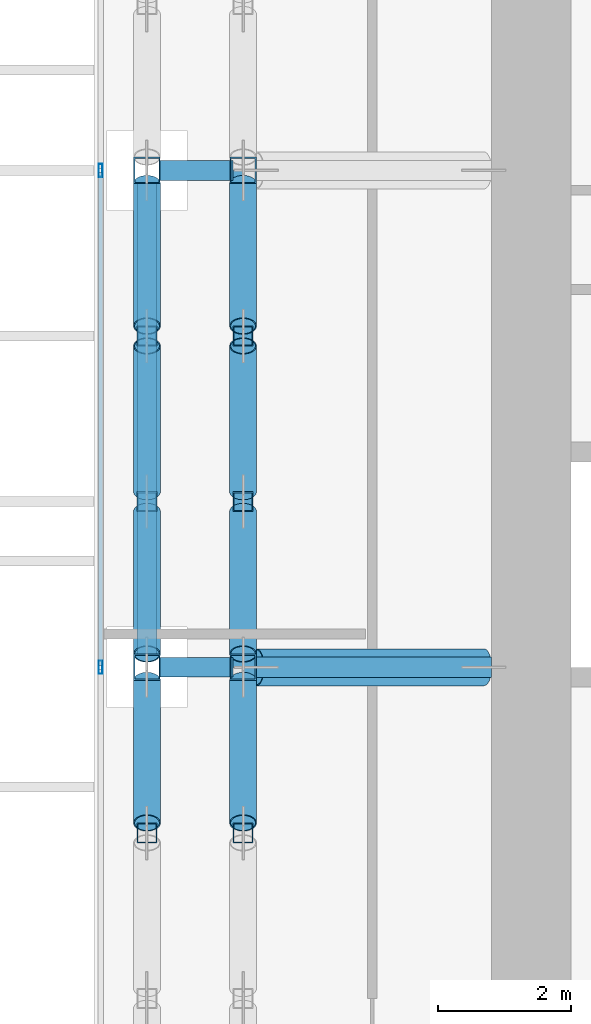
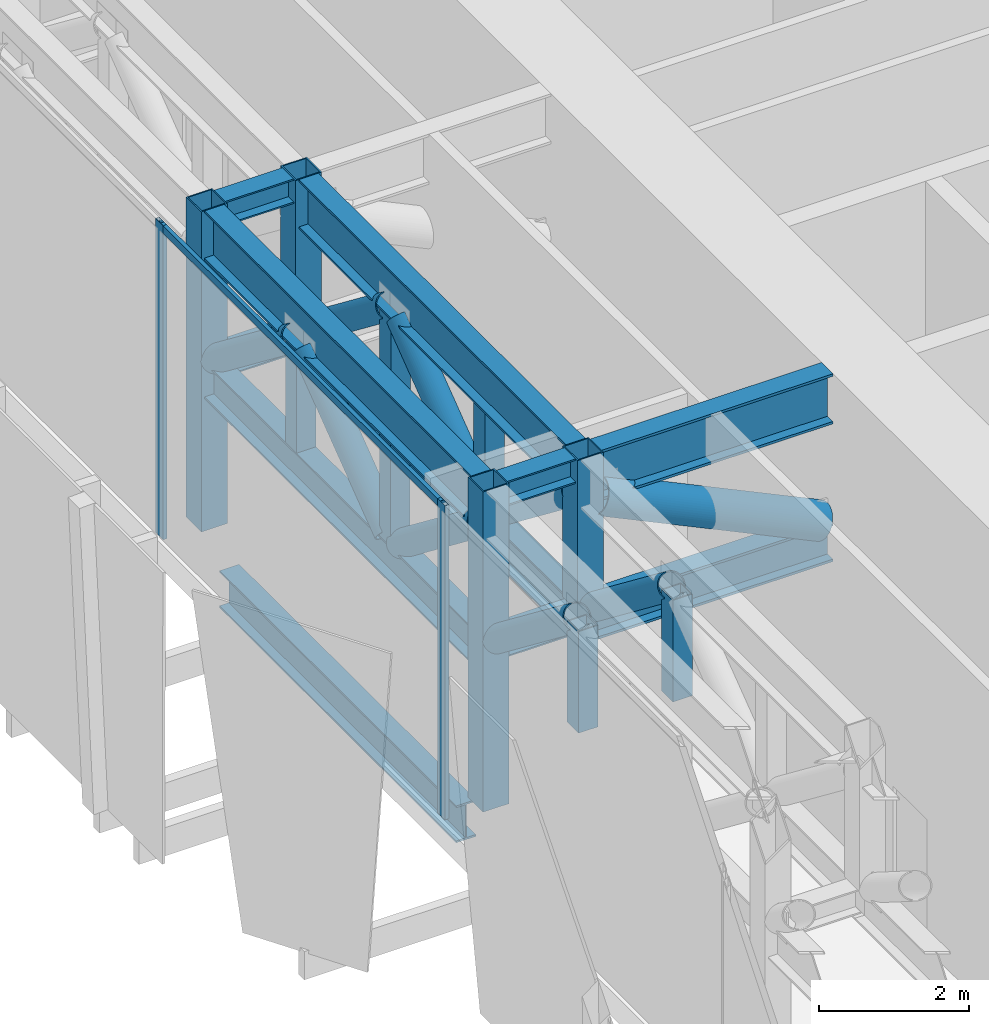
# One storey, part 6 of 39: 28 members, 5 beams, 1 element without a shape of its own.
"""IFC4 building model written with IfcOpenShell, lengths in metres."""

from ifc_helpers import new_model, si_unit, direction, frame, origin, origin_2d, place, context, subcontext, project, spatial, hollow_rectangle, hollow_circle, i_section, extrude, source, transform, mapped, material, material_profile, profile_set, type_object, element, aggregate, save


model = new_model("IFC4")

# Units and contexts
model_context = context("Model", 3, precision=1e-05, world=origin(), true_north=direction((0.0, 1.0)))
body_context = subcontext(model_context, "Body", "Model", "MODEL_VIEW")
ifc_project = project(units=[si_unit("LENGTHUNIT", "METRE"), si_unit("AREAUNIT", "SQUARE_METRE"), si_unit("VOLUMEUNIT", "CUBIC_METRE"), si_unit("PLANEANGLEUNIT", "RADIAN"), si_unit("MASSUNIT", "GRAM", prefix="KILO")], contexts=[model_context])

# Site, building, storey
site_placement = place(None, origin())
site = spatial("IfcSite", under=ifc_project, at=site_placement, CompositionType="ELEMENT")
building_placement = place(site_placement, origin())
building = spatial("IfcBuilding", under=site, at=building_placement, Name="Khomas Fold Tower", CompositionType="ELEMENT")
storey_placement = place(building_placement, frame((0.0, 0.0, 96.0)))
storey = spatial("IfcBuildingStorey", under=building, at=storey_placement, Name="L20", CompositionType="ELEMENT", Elevation=96.0)

# Beam
ifc_material_1 = material(Name="Steel S355", Category="steel")
ifc_material_profile_1 = material_profile(ifc_material_1, i_section(OverallWidth=0.300048828125, OverallDepth=0.60009765625, WebThickness=0.015380859375, FlangeThickness=0.030029296875, at=origin_2d()), Name="HE 600 B")
ifc_profile_set_1 = profile_set([ifc_material_profile_1], Name="Steel S355")
beam_type_1 = type_object("IfcBeamType", Name="HE 600 B spandrel SB1", PredefinedType="SPANDREL", material=ifc_profile_set_1)
shared_shape_1 = source(origin(), body_context, "Body", "SweptSolid", [
    extrude(i_section(OverallWidth=0.300048828125, OverallDepth=0.60009765625, WebThickness=0.015380859375, FlangeThickness=0.030029296875, at=origin_2d()), origin(), (0.0, 0.0, 1.0), 6.2998046875),
])
beam_placement = place(storey_placement, frame((0.800048828125, 20.10009765625, -0.699951171875), z_axis=(0.0, 1.0, 0.0), x_axis=(-1.0, 0.0, 0.0)))
element("IfcBeam", 1, at=beam_placement, inside=storey, type_object=beam_type_1, Name="SB1", PredefinedType="SPANDREL", context=body_context, shape_type="MappedRepresentation", body=[
    mapped(shared_shape_1, transform((0.0, 0.0, 0.0))),
])

# Members
ifc_material_2 = material(Name="Steel S355", Category="steel")
ifc_material_profile_2 = material_profile(ifc_material_2, i_section(OverallWidth=0.300048828125, OverallDepth=0.60009765625, WebThickness=0.015380859375, FlangeThickness=0.030029296875, at=origin_2d()), Name="HE 600 B")
ifc_profile_set_2 = profile_set([ifc_material_profile_2], Name="Steel S355")
member_type_1 = type_object("IfcMemberType", Name="BELT TRUSS 1 BOTTOM CHORD HE 600 B", PredefinedType="CHORD", material=ifc_profile_set_2)
shared_shape_2 = source(origin(), body_context, "Body", "SweptSolid", [
    extrude(i_section(OverallWidth=0.300048828125, OverallDepth=0.60009765625, WebThickness=0.015380859375, FlangeThickness=0.030029296875, at=origin_2d()), origin(), (0.0, 0.0, 1.0), 7.5),
])
member_1_placement = place(storey_placement, frame((2.25, 27.0, 2.449951171875), z_axis=(0.0, -1.0, 0.0), x_axis=(1.0, 0.0, 0.0)))
element("IfcMember", 2, at=member_1_placement, inside=storey, type_object=member_type_1, Name="BT1-CB", PredefinedType="CHORD", context=body_context, shape_type="MappedRepresentation", body=[
    mapped(shared_shape_2, transform((0.0, 0.0, 0.0))),
])
ifc_material_3 = material(Name="Steel S355", Category="steel")
ifc_material_profile_3 = material_profile(ifc_material_3, hollow_rectangle(XDim=0.300048828125, YDim=0.300048828125, WallThickness=0.01611328125, at=origin_2d()), Name="SHS 300x300x16")
ifc_profile_set_3 = profile_set([ifc_material_profile_3], Name="Steel S355")
member_type_2 = type_object("IfcMemberType", Name="BELT TRUSS 1 MID POST SHS 300x300x16", PredefinedType="POST", material=ifc_profile_set_3)
shared_shape_3 = source(origin(), body_context, "Body", "SweptSolid", [
    extrude(hollow_rectangle(XDim=0.300048828125, YDim=0.300048828125, WallThickness=0.01611328125, at=origin_2d()), origin(), (0.0, 0.0, 1.0), 1.64990234375),
])
for number, where, z_axis, x_axis, name in (
    (3, (0.800048828125, 24.5, 2.75), (0.0, 0.0, 1.0), (1.0, 0.0, 0.0), "BT1-M"),
    (4, (0.800048828125, 22.0, 2.75), (0.0, 0.0, 1.0), (1.0, 0.0, 0.0), "BT1-M"),
    (5, (0.800048828125, 17.0, 2.75), (0.0, 0.0, 1.0), (1.0, 0.0, 0.0), "BT1-M"),
    (6, (2.25, 24.5, 2.75), (0.0, 0.0, 1.0), (1.0, 0.0, 0.0), "BT1-M"),
    (7, (2.25, 22.0, 2.75), (0.0, 0.0, 1.0), (1.0, 0.0, 0.0), "BT1-M"),
    (8, (2.25, 17.0, 2.75), (0.0, 0.0, 1.0), (1.0, 0.0, 0.0), "BT1-M"),
):
    element("IfcMember", number, at=place(storey_placement, frame(where, z_axis=z_axis, x_axis=x_axis)), inside=storey, type_object=member_type_2, Name=name, PredefinedType="POST", context=body_context, shape_type="MappedRepresentation", body=[
        mapped(shared_shape_3, transform((0.0, 0.0, 0.0))),
    ])
ifc_material_4 = material(Name="Steel S460M", Category="steel")
ifc_material_profile_4 = material_profile(ifc_material_4, i_section(OverallWidth=0.300048828125, OverallDepth=0.800048828125, WebThickness=0.017578125, FlangeThickness=0.032958984375, at=origin_2d()), Name="HE 800 B")
ifc_profile_set_4 = profile_set([ifc_material_profile_4], Name="Steel S460M")
member_type_3 = type_object("IfcMemberType", Name="BELT TRUSS 1 TOP CHORD HE 800 B", PredefinedType="CHORD", material=ifc_profile_set_4)
shared_shape_4 = source(origin(), body_context, "Body", "SweptSolid", [
    extrude(i_section(OverallWidth=0.300048828125, OverallDepth=0.800048828125, WebThickness=0.017578125, FlangeThickness=0.032958984375, at=origin_2d()), origin(), (0.0, 0.0, 1.0), 7.10009765625),
])
for number, where, z_axis, x_axis, name in (
    (9, (0.800048828125, 26.800048828125, 4.800048828125), (0.0, -1.0, 0.0), (1.0, 0.0, 0.0), "BT1-CT"),
    (10, (2.25, 26.800048828125, 4.800048828125), (0.0, -1.0, 0.0), (1.0, 0.0, 0.0), "BT1-CT"),
):
    element("IfcMember", number, at=place(storey_placement, frame(where, z_axis=z_axis, x_axis=x_axis)), inside=storey, type_object=member_type_3, Name=name, PredefinedType="CHORD", context=body_context, shape_type="MappedRepresentation", body=[
        mapped(shared_shape_4, transform((0.0, 0.0, 0.0))),
    ])
shared_shape_5 = source(origin(), body_context, "Body", "SweptSolid", [
    extrude(i_section(OverallWidth=0.300048828125, OverallDepth=0.60009765625, WebThickness=0.015380859375, FlangeThickness=0.030029296875, at=origin_2d()), origin(), (0.0, 0.0, 1.0), 7.10009765625),
])
member_2_placement = place(storey_placement, frame((0.800048828125, 26.800048828125, 2.449951171875), z_axis=(0.0, -1.0, 0.0), x_axis=(1.0, 0.0, 0.0)))
element("IfcMember", 11, at=member_2_placement, inside=storey, type_object=member_type_1, Name="BT1-CB", PredefinedType="CHORD", context=body_context, shape_type="MappedRepresentation", body=[
    mapped(shared_shape_5, transform((0.0, 0.0, 0.0))),
])
ifc_material_5 = material(Name="Steel S355", Category="steel")
ifc_material_profile_5 = material_profile(ifc_material_5, hollow_circle(Radius=0.203125, WallThickness=0.01611328125, at=origin_2d()), Name="CHS 406.4x16")
ifc_profile_set_5 = profile_set([ifc_material_profile_5], Name="Steel S355")
member_type_4 = type_object("IfcMemberType", Name="BELT TRUSS 1 DIAGONAL CHS 406.4x16", PredefinedType="BRACE", material=ifc_profile_set_5)
shared_shape_6 = source(origin(), body_context, "Body", "SweptSolid", [
    extrude(hollow_circle(Radius=0.203125, WallThickness=0.01611328125, at=origin_2d()), origin(), (0.0, 0.0, 1.0), 2.71630859375),
])
for number, where, z_axis, x_axis, name in (
    (12, (0.800048828125, 26.800048828125, 2.7451171875), (0.0, -0.791563625226, 0.611086759159), (1.0, 0.0, 0.0), "BT1-D"),
    (13, (0.800048828125, 21.85009765625, 2.7451171875), (0.0, -0.791563625226, 0.611086759159), (1.0, 0.0, 0.0), "BT1-D"),
    (14, (0.800048828125, 19.300048828125, 2.7451171875), (0.0, -0.791563625226, 0.611086759159), (1.0, 0.0, 0.0), "BT1-D"),
    (15, (2.25, 26.800048828125, 2.7451171875), (0.0, -0.791563625226, 0.611086759159), (1.0, 0.0, 0.0), "BT1-D"),
    (16, (2.25, 21.85009765625, 2.7451171875), (0.0, -0.791563625226, 0.611086759159), (1.0, 0.0, 0.0), "BT1-D"),
    (17, (2.25, 19.300048828125, 2.7451171875), (0.0, -0.791563625226, 0.611086759159), (1.0, 0.0, 0.0), "BT1-D"),
):
    element("IfcMember", number, at=place(storey_placement, frame(where, z_axis=z_axis, x_axis=x_axis)), inside=storey, type_object=member_type_4, Name=name, PredefinedType="BRACE", context=body_context, shape_type="MappedRepresentation", body=[
        mapped(shared_shape_6, transform((0.0, 0.0, 0.0))),
    ])
shared_shape_7 = source(origin(), body_context, "Body", "SweptSolid", [
    extrude(hollow_circle(Radius=0.203125, WallThickness=0.01611328125, at=origin_2d()), origin(), (0.0, 0.0, 1.0), 2.756103515625),
])
for number, where, z_axis, x_axis, name in (
    (18, (0.800048828125, 24.35009765625, 4.405029296875), (0.0, -0.798296022167, -0.602265274602), (1.0, 0.0, 0.0), "BT1-D"),
    (19, (2.25, 24.35009765625, 4.405029296875), (0.0, -0.798296022167, -0.602265274602), (1.0, 0.0, 0.0), "BT1-D"),
):
    element("IfcMember", number, at=place(storey_placement, frame(where, z_axis=z_axis, x_axis=x_axis)), inside=storey, type_object=member_type_4, Name=name, PredefinedType="BRACE", context=body_context, shape_type="MappedRepresentation", body=[
        mapped(shared_shape_7, transform((0.0, 0.0, 0.0))),
    ])
ifc_material_6 = material(Name="Steel S460M", Category="steel")
ifc_material_profile_6 = material_profile(ifc_material_6, hollow_rectangle(XDim=0.39990234375, YDim=0.39990234375, WallThickness=0.02001953125, at=origin_2d()), Name="SHS 400x400x20")
ifc_profile_set_6 = profile_set([ifc_material_profile_6], Name="Steel S460M")
member_type_5 = type_object("IfcMemberType", Name="BELT TRUSS 1 COLUMN POST LONG SHS 400x400x20", PredefinedType="POST", material=ifc_profile_set_6)
shared_shape_8 = source(origin(), body_context, "Body", "SweptSolid", [
    extrude(hollow_rectangle(XDim=0.39990234375, YDim=0.39990234375, WallThickness=0.02001953125, at=origin_2d()), origin(), (0.0, 0.0, 1.0), 5.199951171875),
])
for number, where, z_axis, x_axis, name in (
    (20, (0.800048828125, 27.0, 0.0), (0.0, 0.0, 1.0), (1.0, 0.0, 0.0), "BT1-PL"),
    (21, (0.800048828125, 19.5, 0.0), (0.0, 0.0, 1.0), (1.0, 0.0, 0.0), "BT1-PL"),
):
    element("IfcMember", number, at=place(storey_placement, frame(where, z_axis=z_axis, x_axis=x_axis)), inside=storey, type_object=member_type_5, Name=name, PredefinedType="POST", context=body_context, shape_type="MappedRepresentation", body=[
        mapped(shared_shape_8, transform((0.0, 0.0, 0.0))),
    ])
ifc_material_7 = material(Name="Steel S460M", Category="steel")
ifc_material_profile_7 = material_profile(ifc_material_7, hollow_rectangle(XDim=0.39990234375, YDim=0.39990234375, WallThickness=0.02001953125, at=origin_2d()), Name="SHS 400x400x20")
ifc_profile_set_7 = profile_set([ifc_material_profile_7], Name="Steel S460M")
member_type_6 = type_object("IfcMemberType", Name="BELT TRUSS 1 COLUMN POST SHS 400x400x20", PredefinedType="POST", material=ifc_profile_set_7)
shared_shape_9 = source(origin(), body_context, "Body", "SweptSolid", [
    extrude(hollow_rectangle(XDim=0.39990234375, YDim=0.39990234375, WallThickness=0.02001953125, at=origin_2d()), origin(), (0.0, 0.0, 1.0), 2.449951171875),
])
for number, where, z_axis, x_axis, name in (
    (22, (2.25, 27.0, 2.75), (0.0, 0.0, 1.0), (1.0, 0.0, 0.0), "BT1-P"),
    (23, (2.25, 19.5, 2.75), (0.0, 0.0, 1.0), (1.0, 0.0, 0.0), "BT1-P"),
):
    element("IfcMember", number, at=place(storey_placement, frame(where, z_axis=z_axis, x_axis=x_axis)), inside=storey, type_object=member_type_6, Name=name, PredefinedType="POST", context=body_context, shape_type="MappedRepresentation", body=[
        mapped(shared_shape_9, transform((0.0, 0.0, 0.0))),
    ])

# Beams
ifc_material_8 = material(Name="Steel S355", Category="steel")
ifc_material_profile_8 = material_profile(ifc_material_8, i_section(OverallWidth=0.300048828125, OverallDepth=0.39990234375, WebThickness=0.013427734375, FlangeThickness=0.02392578125, at=origin_2d()), Name="HE 400 B")
ifc_profile_set_8 = profile_set([ifc_material_profile_8], Name="Steel S355")
beam_type_2 = type_object("IfcBeamType", Name="BELT TRUSS 1 TOP STRUT HE 400 B", PredefinedType="BEAM", material=ifc_profile_set_8)
shared_shape_10 = source(origin(), body_context, "Body", "SweptSolid", [
    extrude(i_section(OverallWidth=0.300048828125, OverallDepth=0.39990234375, WebThickness=0.013427734375, FlangeThickness=0.02392578125, at=origin_2d()), origin(), (0.0, 0.0, 1.0), 1.050048828125),
])
for number, where, z_axis, x_axis, name in (
    (24, (2.050048828125, 19.5, 5.0), (-1.0, 0.0, 0.0), (0.0, -1.0, 0.0), "BT1-ST"),
    (25, (2.050048828125, 27.0, 5.0), (-1.0, 0.0, 0.0), (0.0, -1.0, 0.0), "BT1-ST"),
):
    element("IfcBeam", number, at=place(storey_placement, frame(where, z_axis=z_axis, x_axis=x_axis)), inside=storey, type_object=beam_type_2, Name=name, PredefinedType="BEAM", context=body_context, shape_type="MappedRepresentation", body=[
        mapped(shared_shape_10, transform((0.0, 0.0, 0.0))),
    ])
ifc_material_9 = material(Name="Steel S355", Category="steel")
ifc_material_profile_9 = material_profile(ifc_material_9, i_section(OverallWidth=0.300048828125, OverallDepth=0.39990234375, WebThickness=0.013427734375, FlangeThickness=0.02392578125, at=origin_2d()), Name="HE 400 B")
ifc_profile_set_9 = profile_set([ifc_material_profile_9], Name="Steel S355")
beam_type_3 = type_object("IfcBeamType", Name="BELT TRUSS 1 BOTTOM STRUT HE 400 B", PredefinedType="BEAM", material=ifc_profile_set_9)
shared_shape_11 = source(origin(), body_context, "Body", "SweptSolid", [
    extrude(i_section(OverallWidth=0.300048828125, OverallDepth=0.39990234375, WebThickness=0.013427734375, FlangeThickness=0.02392578125, at=origin_2d()), origin(), (0.0, 0.0, 1.0), 1.10009765625),
])
for number, where, z_axis, x_axis, name in (
    (26, (2.10009765625, 19.5, 2.550048828125), (-1.0, 0.0, 0.0), (0.0, -1.0, 0.0), "BT1-SB"),
    (27, (2.10009765625, 27.0, 2.550048828125), (-1.0, 0.0, 0.0), (0.0, -1.0, 0.0), "BT1-SB"),
):
    element("IfcBeam", number, at=place(storey_placement, frame(where, z_axis=z_axis, x_axis=x_axis)), inside=storey, type_object=beam_type_3, Name=name, PredefinedType="BEAM", context=body_context, shape_type="MappedRepresentation", body=[
        mapped(shared_shape_11, transform((0.0, 0.0, 0.0))),
    ])

# Members
ifc_material_10 = material(Name="Steel S460M", Category="steel")
ifc_material_profile_10 = material_profile(ifc_material_10, i_section(OverallWidth=0.302978515625, OverallDepth=0.81396484375, WebThickness=0.02099609375, FlangeThickness=0.0400390625, at=origin_2d()), Name="HE 800 M")
ifc_profile_set_10 = profile_set([ifc_material_profile_10], Name="Steel S460M")
member_type_7 = type_object("IfcMemberType", Name="OUTRIGGER 1 TOP CHORD HE 800 M", PredefinedType="CHORD", material=ifc_profile_set_10)
shared_shape_12 = source(origin(), body_context, "Body", "SweptSolid", [
    extrude(i_section(OverallWidth=0.302978515625, OverallDepth=0.81396484375, WebThickness=0.02099609375, FlangeThickness=0.0400390625, at=origin_2d()), origin(), (0.0, 0.0, 1.0), 3.550048828125),
])
member_3_placement = place(storey_placement, frame((6.0, 19.5, 4.79296875), z_axis=(-1.0, 0.0, 0.0), x_axis=(0.0, -1.0, 0.0)))
element("IfcMember", 28, at=member_3_placement, inside=storey, type_object=member_type_7, Name="OR1-CT", PredefinedType="CHORD", context=body_context, shape_type="MappedRepresentation", body=[
    mapped(shared_shape_12, transform((0.0, 0.0, 0.0))),
])
ifc_material_11 = material(Name="Steel S460M", Category="steel")
ifc_material_profile_11 = material_profile(ifc_material_11, i_section(OverallWidth=0.304931640625, OverallDepth=0.6201171875, WebThickness=0.02099609375, FlangeThickness=0.0400390625, at=origin_2d()), Name="HE 600 M")
ifc_profile_set_11 = profile_set([ifc_material_profile_11], Name="Steel S460M")
member_type_8 = type_object("IfcMemberType", Name="OUTRIGGER 1 BOTTOM CHORD HE 600 M", PredefinedType="CHORD", material=ifc_profile_set_11)
shared_shape_13 = source(origin(), body_context, "Body", "SweptSolid", [
    extrude(i_section(OverallWidth=0.304931640625, OverallDepth=0.6201171875, WebThickness=0.02099609375, FlangeThickness=0.0400390625, at=origin_2d()), origin(), (0.0, 0.0, 1.0), 3.75),
])
member_4_placement = place(storey_placement, frame((6.0, 19.5, 2.4599609375), z_axis=(-1.0, 0.0, 0.0), x_axis=(0.0, -1.0, 0.0)))
element("IfcMember", 29, at=member_4_placement, inside=storey, type_object=member_type_8, Name="OR1-CB", PredefinedType="CHORD", context=body_context, shape_type="MappedRepresentation", body=[
    mapped(shared_shape_13, transform((0.0, 0.0, 0.0))),
])
ifc_material_12 = material(Name="Steel S355", Category="steel")
ifc_material_profile_12 = material_profile(ifc_material_12, hollow_circle(Radius=0.279541015625, WallThickness=0.01611328125, at=origin_2d()), Name="CHS 559x16")
ifc_profile_set_12 = profile_set([ifc_material_profile_12], Name="Steel S355")
member_type_9 = type_object("IfcMemberType", Name="OUTRIGGER 1 DIAGONAL CHS 559x16", PredefinedType="BRACE", material=ifc_profile_set_12)
shared_shape_14 = source(origin(), body_context, "Body", "SweptSolid", [
    extrude(hollow_circle(Radius=0.279541015625, WallThickness=0.01611328125, at=origin_2d()), origin(), (0.0, 0.0, 1.0), 3.7998046875),
])
member_5_placement = place(storey_placement, frame((5.88427734375, 19.5, 2.764892578125), z_axis=(-0.903795393476, 0.0, 0.427964819503), x_axis=(0.0, -1.0, 0.0)))
element("IfcMember", 30, at=member_5_placement, inside=storey, type_object=member_type_9, Name="OR1-D", PredefinedType="BRACE", context=body_context, shape_type="MappedRepresentation", body=[
    mapped(shared_shape_14, transform((0.0, 0.0, 0.0))),
])

# Curtain wall, members
ifc_material_13 = material(Name="Aluminium framed double glazing", Category="aluminium")
curtain_wall_type = type_object("IfcCurtainWallType", Name="SK-Plant louvre wall CW4", PredefinedType="NOTDEFINED", material=ifc_material_13)
curtain_wall_placement = place(storey_placement, origin())
curtain_wall = element("IfcCurtainWall", 31, at=curtain_wall_placement, inside=storey, type_object=curtain_wall_type, Name="CW4 run L20 09-0", PredefinedType="NOTDEFINED")
ifc_material_14 = material(Name="Aluminium", Category="aluminium")
ifc_material_profile_13 = material_profile(ifc_material_14, hollow_rectangle(XDim=0.06005859375, YDim=0.199951171875, WallThickness=0.00390625, at=origin_2d()), Name="SK-Plant louvre wall mullion CW4-M")
ifc_profile_set_13 = profile_set([ifc_material_profile_13], Name="Aluminium")
member_type_10 = type_object("IfcMemberType", Name="SK-Plant louvre wall mullion CW4-M", PredefinedType="MULLION", material=ifc_profile_set_13)
shared_shape_15 = source(origin(), body_context, "Body", "SweptSolid", [
    extrude(hollow_rectangle(XDim=0.06005859375, YDim=0.199951171875, WallThickness=0.00390625, at=origin_2d()), origin(), (0.0, 0.0, 1.0), 5.10009765625),
])
member_6_placement = place(storey_placement, frame((0.10009765625, 27.0, 0.0), z_axis=(0.0, 0.0, 1.0), x_axis=(1.0, 0.0, 0.0)))
member_6 = element("IfcMember", 32, at=member_6_placement, type_object=member_type_10, Name="CW4 mullion 5", PredefinedType="MULLION", context=body_context, shape_type="MappedRepresentation", body=[
    mapped(shared_shape_15, transform((0.0, 0.0, 0.0))),
])
member_7_placement = place(storey_placement, frame((0.10009765625, 19.5, 0.0), z_axis=(0.0, 0.0, 1.0), x_axis=(1.0, 0.0, 0.0)))
member_7 = element("IfcMember", 33, at=member_7_placement, type_object=member_type_10, Name="CW4 mullion 6", PredefinedType="MULLION", context=body_context, shape_type="MappedRepresentation", body=[
    mapped(shared_shape_15, transform((0.0, 0.0, 0.0))),
])
ifc_material_15 = material(Name="Aluminium", Category="aluminium")
ifc_material_profile_14 = material_profile(ifc_material_15, hollow_rectangle(XDim=0.06005859375, YDim=0.1201171875, WallThickness=0.00390625, at=origin_2d()), Name="SK-Plant louvre wall transom CW4-T")
ifc_profile_set_14 = profile_set([ifc_material_profile_14], Name="Aluminium")
member_type_11 = type_object("IfcMemberType", Name="SK-Plant louvre wall transom CW4-T", PredefinedType="USERDEFINED", material=ifc_profile_set_14)
shared_shape_16 = source(origin(), body_context, "Body", "SweptSolid", [
    extrude(hollow_rectangle(XDim=0.06005859375, YDim=0.1201171875, WallThickness=0.00390625, at=origin_2d()), origin(), (0.0, 0.0, 1.0), 7.43994140625),
])
member_8_placement = place(storey_placement, frame((0.10009765625, 26.969970703125, 5.0400390625), z_axis=(0.0, -1.0, 0.0), x_axis=(1.0, 0.0, 0.0)))
member_8 = element("IfcMember", 34, at=member_8_placement, type_object=member_type_11, Name="CW4 transom 5", ObjectType="TRANSOM", PredefinedType="USERDEFINED", context=body_context, shape_type="MappedRepresentation", body=[
    mapped(shared_shape_16, transform((0.0, 0.0, 0.0))),
])
aggregate(curtain_wall, [member_6, member_7, member_8])

save(model, "model.ifc")
